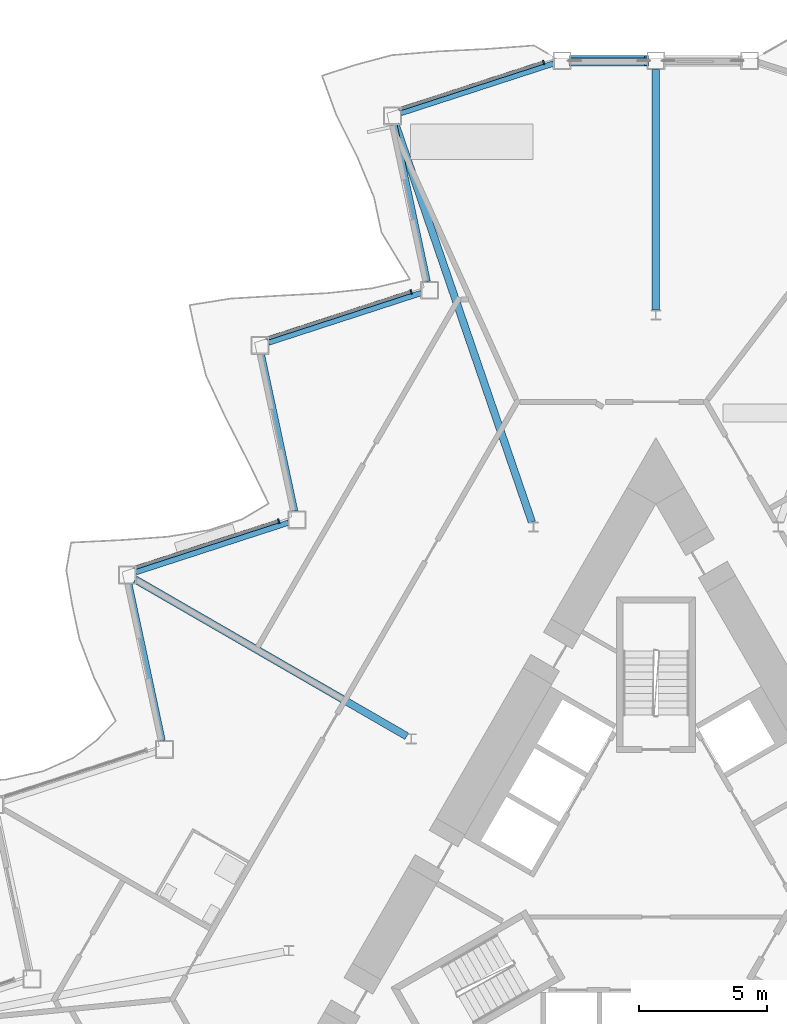
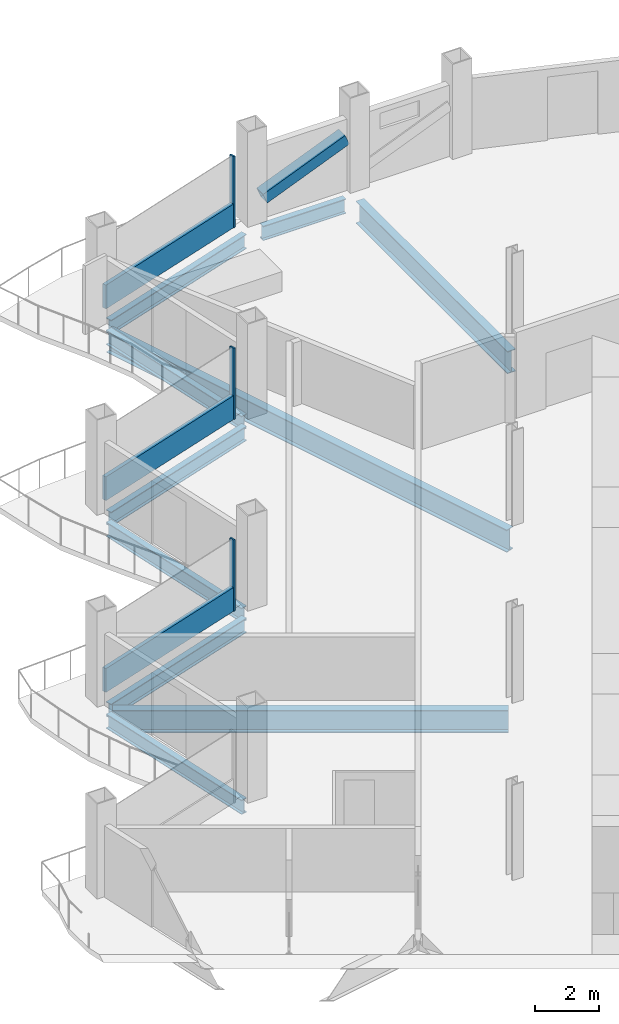
# One storey, part 8 of 23: 10 beams, 7 members, 3 elements without a shape of their own.
"""IFC4 building model written with IfcOpenShell, lengths in metres."""

from ifc_helpers import new_model, si_unit, direction, frame, origin, origin_2d, place, context, subcontext, project, spatial, rectangle, hollow_rectangle, i_section, extrude, material, layer, layer_set, material_profile, profile_set, type_object, element, aggregate, save


model = new_model("IFC4")

# Units and contexts
model_context = context("Model", 3, precision=1e-05, world=origin(), true_north=direction((0.0, 1.0)))
body_context = subcontext(model_context, "Body", "Model", "MODEL_VIEW")
ifc_project = project(units=[si_unit("LENGTHUNIT", "METRE"), si_unit("AREAUNIT", "SQUARE_METRE"), si_unit("VOLUMEUNIT", "CUBIC_METRE"), si_unit("PLANEANGLEUNIT", "RADIAN"), si_unit("MASSUNIT", "GRAM", prefix="KILO")], contexts=[model_context])

# Site, building, storey
site_placement = place(None, origin())
site = spatial("IfcSite", under=ifc_project, at=site_placement, CompositionType="ELEMENT")
building_placement = place(site_placement, origin())
building = spatial("IfcBuilding", under=site, at=building_placement, Name="Cormorant Prow Tower", CompositionType="ELEMENT")
storey_placement = place(building_placement, frame((0.0, 0.0, 267.0)))
storey = spatial("IfcBuildingStorey", under=building, at=storey_placement, Name="L60", CompositionType="ELEMENT", Elevation=267.0)

# Member
ifc_material_1 = material(Name="Structural steel ASTM A500 Gr C", Category="steel")
ifc_material_profile_1 = material_profile(ifc_material_1, hollow_rectangle(XDim=0.406494140625, YDim=0.406494140625, WallThickness=0.01171875, at=origin_2d()), Name="HSS16x16x1/2")
ifc_profile_set_1 = profile_set([ifc_material_profile_1], Name="Structural steel ASTM A500 Gr C")
member_type_1 = type_object("IfcMemberType", Name="Chamfer brace HSS16x16x1/2", PredefinedType="BRACE", material=ifc_profile_set_1)
member_1_placement = place(storey_placement, frame((-3.3046875, 32.073486328125, 0.74951171875), z_axis=(0.925591042089, 0.0, 0.37852506232), x_axis=(0.0, 1.0, 0.0)))
element("IfcMember", 1, at=member_1_placement, inside=storey, type_object=member_type_1, Name="Chamfer brace BR2 at N01 L60", PredefinedType="BRACE", context=body_context, shape_type="SweptSolid", body=[
    extrude(hollow_rectangle(XDim=0.406494140625, YDim=0.406494140625, WallThickness=0.01171875, at=origin_2d()), origin(), (0.0, 0.0, 1.0), 3.17529296875),
])

# Curtain wall, member
ifc_material_2 = material(Name="Aluminium 6063-T6", Category="aluminium")
ifc_layer = layer(ifc_material_2, 0.179931640625)
ifc_layer_set = layer_set([ifc_layer], Name="Aluminium 6063-T6")
curtain_wall_type = type_object("IfcCurtainWallType", Name="Hotel unitised curtain wall 180", PredefinedType="NOTDEFINED", material=ifc_layer_set)
curtain_wall_1_placement = place(storey_placement, origin())
curtain_wall_1 = element("IfcCurtainWall", 2, at=curtain_wall_1_placement, inside=storey, type_object=curtain_wall_type, Name="Hotel curtain wall WNW00", PredefinedType="NOTDEFINED")
ifc_material_3 = material(Name="Aluminium 6063-T6", Category="aluminium")
ifc_material_profile_2 = material_profile(ifc_material_3, rectangle(XDim=0.179931640625, YDim=0.06005859375, at=origin_2d()), Name="Hotel mullion 60x180")
ifc_profile_set_2 = profile_set([ifc_material_profile_2], Name="Aluminium 6063-T6")
member_type_2 = type_object("IfcMemberType", Name="Hotel mullion 60x180", PredefinedType="MULLION", material=ifc_profile_set_2)
member_2_placement = place(storey_placement, frame((-4.39794921875, 32.005615234375, 0.0), z_axis=(0.0, 0.0, 1.0), x_axis=(0.309017039973, -0.95105650148, 0.0)))
member_2 = element("IfcMember", 3, at=member_2_placement, type_object=member_type_2, Name="Hotel mullion WNW00", PredefinedType="MULLION", context=body_context, shape_type="SweptSolid", body=[
    extrude(rectangle(XDim=0.179931640625, YDim=0.06005859375, at=origin_2d()), origin(), (0.0, 0.0, 1.0), 2.700927734375),
])

curtain_wall_2_placement = place(storey_placement, origin())
curtain_wall_2 = element("IfcCurtainWall", 4, at=curtain_wall_2_placement, inside=storey, type_object=curtain_wall_type, Name="Hotel curtain wall WNW02", PredefinedType="NOTDEFINED")
member_3_placement = place(storey_placement, frame((-9.58056640625, 23.029052734375, 0.0), z_axis=(0.0, 0.0, 1.0), x_axis=(0.309016997828, -0.951056515173, 0.0)))
member_3 = element("IfcMember", 5, at=member_3_placement, type_object=member_type_2, Name="Hotel mullion WNW02", PredefinedType="MULLION", context=body_context, shape_type="SweptSolid", body=[
    extrude(rectangle(XDim=0.179931640625, YDim=0.06005859375, at=origin_2d()), origin(), (0.0, 0.0, 1.0), 2.700927734375),
])

curtain_wall_3_placement = place(storey_placement, origin())
curtain_wall_3 = element("IfcCurtainWall", 6, at=curtain_wall_3_placement, inside=storey, type_object=curtain_wall_type, Name="Hotel curtain wall WNW04", PredefinedType="NOTDEFINED")
member_4_placement = place(storey_placement, frame((-14.763427734375, 14.052490234375, 0.0), z_axis=(0.0, 0.0, 1.0), x_axis=(0.309016997828, -0.951056515173, 0.0)))
member_4 = element("IfcMember", 7, at=member_4_placement, type_object=member_type_2, Name="Hotel mullion WNW04", PredefinedType="MULLION", context=body_context, shape_type="SweptSolid", body=[
    extrude(rectangle(XDim=0.179931640625, YDim=0.06005859375, at=origin_2d()), origin(), (0.0, 0.0, 1.0), 2.700927734375),
])

# Member
ifc_material_4 = material(Name="Terracotta", Category="masonry")
ifc_material_profile_3 = material_profile(ifc_material_4, rectangle(XDim=0.139892578125, YDim=0.89990234375, at=origin_2d()), Name="Hotel terracotta spandrel rail 140x900")
ifc_profile_set_3 = profile_set([ifc_material_profile_3], Name="Terracotta")
member_type_3 = type_object("IfcMemberType", Name="Hotel terracotta spandrel rail 140x900", PredefinedType="USERDEFINED", material=ifc_profile_set_3)
member_5_placement = place(storey_placement, frame((-4.426513671875, 31.996337890625, 0.449951171875), z_axis=(-0.951055309952, -0.309020707094, 0.0), x_axis=(0.309020707094, -0.951055309952, 0.0)))
member_5 = element("IfcMember", 8, at=member_5_placement, type_object=member_type_3, Name="Hotel spandrel rail WNW00", ObjectType="TRANSOM", PredefinedType="USERDEFINED", context=body_context, shape_type="SweptSolid", body=[
    extrude(rectangle(XDim=0.139892578125, YDim=0.89990234375, at=origin_2d()), origin(), (0.0, 0.0, 1.0), 5.911865234375),
])

aggregate(curtain_wall_1, [member_2, member_5])

member_6_placement = place(storey_placement, frame((-9.609130859375, 23.019775390625, 0.449951171875), z_axis=(-0.951055309952, -0.309020707094, 0.0), x_axis=(0.309020707094, -0.951055309952, 0.0)))
member_6 = element("IfcMember", 9, at=member_6_placement, type_object=member_type_3, Name="Hotel spandrel rail WNW02", ObjectType="TRANSOM", PredefinedType="USERDEFINED", context=body_context, shape_type="SweptSolid", body=[
    extrude(rectangle(XDim=0.139892578125, YDim=0.89990234375, at=origin_2d()), origin(), (0.0, 0.0, 1.0), 5.911865234375),
])

aggregate(curtain_wall_2, [member_3, member_6])

member_7_placement = place(storey_placement, frame((-14.791748046875, 14.043212890625, 0.449951171875), z_axis=(-0.951059253266, -0.309008570717, 0.0), x_axis=(0.309008570717, -0.951059253266, 0.0)))
member_7 = element("IfcMember", 10, at=member_7_placement, type_object=member_type_3, Name="Hotel spandrel rail WNW04", ObjectType="TRANSOM", PredefinedType="USERDEFINED", context=body_context, shape_type="SweptSolid", body=[
    extrude(rectangle(XDim=0.139892578125, YDim=0.89990234375, at=origin_2d()), origin(), (0.0, 0.0, 1.0), 5.912109375),
])

aggregate(curtain_wall_3, [member_4, member_7])

# Beams
ifc_material_5 = material(Name="Structural steel ASTM A992 Gr 50", Category="steel")
ifc_material_profile_4 = material_profile(ifc_material_5, i_section(OverallWidth=0.29296875, OverallDepth=0.845703125, WebThickness=0.015380859375, FlangeThickness=0.0244140625, at=origin_2d()), Name="W33x141")
ifc_profile_set_4 = profile_set([ifc_material_profile_4], Name="Structural steel ASTM A992 Gr 50")
beam_type_1 = type_object("IfcBeamType", Name="Radial floor beam W33x141", PredefinedType="BEAM", material=ifc_profile_set_4)
beam_1_placement = place(storey_placement, frame((0.0, 22.320068359375, -0.77294921875), z_axis=(0.0, 1.0, 0.0), x_axis=(-1.0, 0.0, 0.0)))
element("IfcBeam", 11, at=beam_1_placement, inside=storey, type_object=beam_type_1, Name="Radial floor beam FB2 1 L60", PredefinedType="BEAM", context=body_context, shape_type="SweptSolid", body=[
    extrude(i_section(OverallWidth=0.29296875, OverallDepth=0.845703125, WebThickness=0.015380859375, FlangeThickness=0.0244140625, at=origin_2d()), origin(), (0.0, 0.0, 1.0), 9.4033203125),
])
beam_2_placement = place(storey_placement, frame((-4.85400390625, 14.013916015625, -0.77294921875), z_axis=(-0.324535507117, 0.945873514071, 0.0), x_axis=(-0.945873514071, -0.324535507117, 0.0)))
element("IfcBeam", 12, at=beam_2_placement, inside=storey, type_object=beam_type_1, Name="Radial floor beam FB2 2 L60", PredefinedType="BEAM", context=body_context, shape_type="SweptSolid", body=[
    extrude(i_section(OverallWidth=0.29296875, OverallDepth=0.845703125, WebThickness=0.015380859375, FlangeThickness=0.0244140625, at=origin_2d()), origin(), (0.0, 0.0, 1.0), 16.462158203125),
])
beam_3_placement = place(storey_placement, frame((-9.751220703125, 5.6298828125, -0.77294921875), z_axis=(-0.866021995826, 0.500005902711, 0.0), x_axis=(-0.500005902711, -0.866021995826, 0.0)))
element("IfcBeam", 13, at=beam_3_placement, inside=storey, type_object=beam_type_1, Name="Radial floor beam FB2 3 L60", PredefinedType="BEAM", context=body_context, shape_type="SweptSolid", body=[
    extrude(i_section(OverallWidth=0.29296875, OverallDepth=0.845703125, WebThickness=0.015380859375, FlangeThickness=0.0244140625, at=origin_2d()), origin(), (0.0, 0.0, 1.0), 12.277099609375),
])
ifc_material_6 = material(Name="Structural steel ASTM A992 Gr 50", Category="steel")
ifc_material_profile_5 = material_profile(ifc_material_6, i_section(OverallWidth=0.2138671875, OverallDepth=0.549072265625, WebThickness=0.0146484375, FlangeThickness=0.023681640625, at=origin_2d()), Name="W21x93")
ifc_profile_set_5 = profile_set([ifc_material_profile_5], Name="Structural steel ASTM A992 Gr 50")
beam_type_2 = type_object("IfcBeamType", Name="Spandrel beam W21x93", PredefinedType="SPANDREL", material=ifc_profile_set_5)
beam_4_placement = place(storey_placement, frame((-0.35009765625, 32.073486328125, -0.62451171875), z_axis=(-1.0, 0.0, 0.0), x_axis=(0.0, -1.0, 0.0)))
element("IfcBeam", 14, at=beam_4_placement, inside=storey, type_object=beam_type_2, Name="Spandrel beam SB2 N01-WNW00 L60", PredefinedType="SPANDREL", context=body_context, shape_type="SweptSolid", body=[
    extrude(i_section(OverallWidth=0.2138671875, OverallDepth=0.549072265625, WebThickness=0.0146484375, FlangeThickness=0.023681640625, at=origin_2d()), origin(), (0.0, 0.0, 1.0), 2.97021484375),
])
for number, where, z_axis, x_axis, name in (
    (15, (-4.003173828125, 31.96533203125, -0.62451171875), (-0.951054060056, -0.309024553801, 0.0), (0.309024553801, -0.951054060056, 0.0), "Spandrel beam SB2 WNW00-WNW01 L60"),
    (16, (-10.2373046875, 29.57373046875, -0.62451171875), (0.207896407679, -0.97815084914, 0.0), (0.97815084914, 0.207896407679, 0.0), "Spandrel beam SB2 WNW01-WNW02 L60"),
):
    element("IfcBeam", number, at=place(storey_placement, frame(where, z_axis=z_axis, x_axis=x_axis)), inside=storey, type_object=beam_type_2, Name=name, PredefinedType="SPANDREL", context=body_context, shape_type="SweptSolid", body=[
        extrude(i_section(OverallWidth=0.2138671875, OverallDepth=0.549072265625, WebThickness=0.0146484375, FlangeThickness=0.023681640625, at=origin_2d()), origin(), (0.0, 0.0, 1.0), 6.281494140625),
    ])
beam_5_placement = place(storey_placement, frame((-9.191650390625, 22.97900390625, -0.62451171875), z_axis=(-0.951050348284, -0.309035976918, 0.0), x_axis=(0.309035976918, -0.951050348284, 0.0)))
element("IfcBeam", 17, at=beam_5_placement, inside=storey, type_object=beam_type_2, Name="Spandrel beam SB2 WNW02-WNW03 L60", PredefinedType="SPANDREL", context=body_context, shape_type="SweptSolid", body=[
    extrude(i_section(OverallWidth=0.2138671875, OverallDepth=0.549072265625, WebThickness=0.0146484375, FlangeThickness=0.023681640625, at=origin_2d()), origin(), (0.0, 0.0, 1.0), 6.28125),
])
beam_6_placement = place(storey_placement, frame((-15.42578125, 20.58740234375, -0.62451171875), z_axis=(0.207933593793, -0.978142944856, 0.0), x_axis=(0.978142944856, 0.207933593793, 0.0)))
element("IfcBeam", 18, at=beam_6_placement, inside=storey, type_object=beam_type_2, Name="Spandrel beam SB2 WNW03-WNW04 L60", PredefinedType="SPANDREL", context=body_context, shape_type="SweptSolid", body=[
    extrude(i_section(OverallWidth=0.2138671875, OverallDepth=0.549072265625, WebThickness=0.0146484375, FlangeThickness=0.023681640625, at=origin_2d()), origin(), (0.0, 0.0, 1.0), 6.281494140625),
])
beam_7_placement = place(storey_placement, frame((-14.3798828125, 13.99267578125, -0.62451171875), z_axis=(-0.951050348284, -0.309035976918, 0.0), x_axis=(0.309035976918, -0.951050348284, 0.0)))
element("IfcBeam", 19, at=beam_7_placement, inside=storey, type_object=beam_type_2, Name="Spandrel beam SB2 WNW04-WNW05 L60", PredefinedType="SPANDREL", context=body_context, shape_type="SweptSolid", body=[
    extrude(i_section(OverallWidth=0.2138671875, OverallDepth=0.549072265625, WebThickness=0.0146484375, FlangeThickness=0.023681640625, at=origin_2d()), origin(), (0.0, 0.0, 1.0), 6.28125),
])
beam_8_placement = place(storey_placement, frame((-20.614013671875, 11.60107421875, -0.62451171875), z_axis=(0.207933593793, -0.978142944856, 0.0), x_axis=(0.978142944856, 0.207933593793, 0.0)))
element("IfcBeam", 20, at=beam_8_placement, inside=storey, type_object=beam_type_2, Name="Spandrel beam SB2 WNW05-WNW06 L60", PredefinedType="SPANDREL", context=body_context, shape_type="SweptSolid", body=[
    extrude(i_section(OverallWidth=0.2138671875, OverallDepth=0.549072265625, WebThickness=0.0146484375, FlangeThickness=0.023681640625, at=origin_2d()), origin(), (0.0, 0.0, 1.0), 6.281494140625),
])

save(model, "model.ifc")
